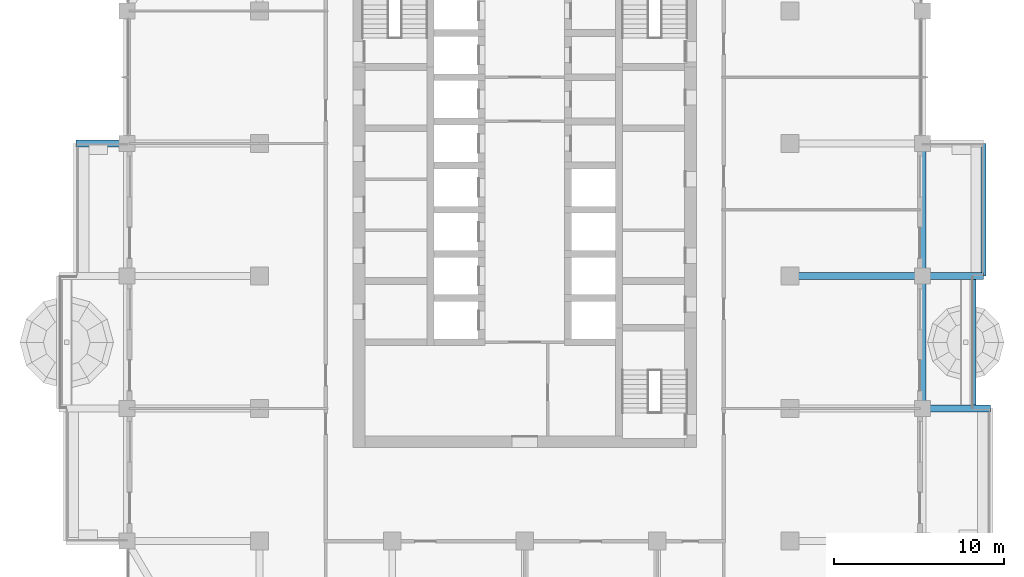
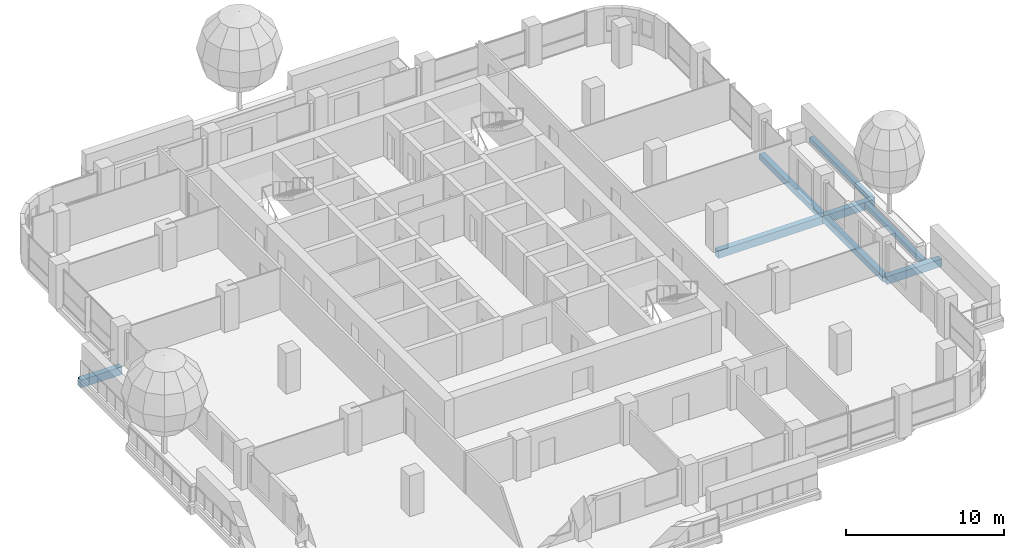
# One storey, part 5 of 21: 8 beams.
"""IFC4 building model written with IfcOpenShell, lengths in metres."""

from ifc_helpers import new_model, si_unit, direction, frame, origin, origin_2d, place, context, subcontext, project, spatial, rectangle, extrude, material, material_profile, profile_set, type_object, element, save


model = new_model("IFC4")

# Units and contexts
model_context = context("Model", 3, precision=1e-05, world=origin(), true_north=direction((0.0, 1.0)))
body_context = subcontext(model_context, "Body", "Model", "MODEL_VIEW")
ifc_project = project(units=[si_unit("LENGTHUNIT", "METRE"), si_unit("AREAUNIT", "SQUARE_METRE"), si_unit("VOLUMEUNIT", "CUBIC_METRE"), si_unit("PLANEANGLEUNIT", "RADIAN"), si_unit("MASSUNIT", "GRAM", prefix="KILO")], contexts=[model_context])

# Site, building, storey
site_placement = place(None, origin())
site = spatial("IfcSite", under=ifc_project, at=site_placement, CompositionType="ELEMENT")
building_placement = place(site_placement, origin())
building = spatial("IfcBuilding", under=site, at=building_placement, Name="Ludao Terraces", CompositionType="ELEMENT")
storey_placement = place(building_placement, frame((0.0, 0.0, 71.60009765625)))
storey = spatial("IfcBuildingStorey", under=building, at=storey_placement, Name="L19", CompositionType="ELEMENT", Elevation=71.60009765625)

# Beams
ifc_material = material(Name="Concrete C40", Category="concrete")
ifc_material_profile_1 = material_profile(ifc_material, rectangle(XDim=0.300048828125, YDim=0.39990234375, at=origin_2d()), Name="300 X 400")
ifc_profile_set_1 = profile_set([ifc_material_profile_1], Name="Concrete C40")
beam_type_1 = type_object("IfcBeamType", Name="RC beam 300x400 C40", PredefinedType="BEAM", material=ifc_profile_set_1)
for number, where, z_axis, x_axis, name in (
    (1, (111.39990234375, 57.199951171875, -0.4501953125), (0.0, 1.0, 0.0), (-1.0, 0.0, 0.0), "Balcony edge beam L19 E2"),
    (2, (112.0, 65.0, -0.4501953125), (0.0, 1.0, 0.0), (-1.0, 0.0, 0.0), "Balcony edge beam L19 E3"),
):
    element("IfcBeam", number, at=place(storey_placement, frame(where, z_axis=z_axis, x_axis=x_axis)), inside=storey, type_object=beam_type_1, Name=name, PredefinedType="BEAM", context=body_context, shape_type="SweptSolid", body=[
        extrude(rectangle(XDim=0.300048828125, YDim=0.39990234375, at=origin_2d()), origin(), (0.0, 0.0, 1.0), 7.800048828125),
    ])
ifc_material_profile_2 = material_profile(ifc_material, rectangle(XDim=0.39990234375, YDim=0.449951171875, at=origin_2d()), Name="400 X 450")
ifc_profile_set_2 = profile_set([ifc_material_profile_2], Name="Concrete C40")
beam_type_2 = type_object("IfcBeamType", Name="RC beam 400x450 C40", PredefinedType="BEAM", material=ifc_profile_set_2)
for number, where, z_axis, x_axis, name in (
    (3, (108.39990234375, 57.199951171875, -0.47509765625), (0.0, 1.0, 0.0), (-1.0, 0.0, 0.0), "Spandrel beam L19 E21"),
    (4, (108.39990234375, 65.0, -0.47509765625), (0.0, 1.0, 0.0), (-1.0, 0.0, 0.0), "Spandrel beam L19 E22"),
):
    element("IfcBeam", number, at=place(storey_placement, frame(where, z_axis=z_axis, x_axis=x_axis)), inside=storey, type_object=beam_type_2, Name=name, PredefinedType="BEAM", context=body_context, shape_type="SweptSolid", body=[
        extrude(rectangle(XDim=0.39990234375, YDim=0.449951171875, at=origin_2d()), origin(), (0.0, 0.0, 1.0), 7.800048828125),
    ])
ifc_material_profile_3 = material_profile(ifc_material, rectangle(XDim=0.39990234375, YDim=0.60009765625, at=origin_2d()), Name="400 X 600")
ifc_profile_set_3 = profile_set([ifc_material_profile_3], Name="Concrete C40")
beam_type_3 = type_object("IfcBeamType", Name="RC beam 400x600 C40", PredefinedType="BEAM", material=ifc_profile_set_3)
beam_1_placement = place(storey_placement, frame((108.39990234375, 57.199951171875, -0.550048828125), z_axis=(1.0, 0.0, 0.0), x_axis=(0.0, 1.0, 0.0)))
element("IfcBeam", 5, at=beam_1_placement, inside=storey, type_object=beam_type_3, Name="Balcony beam L19 E572", PredefinedType="BEAM", context=body_context, shape_type="SweptSolid", body=[
    extrude(rectangle(XDim=0.39990234375, YDim=0.60009765625, at=origin_2d()), origin(), (0.0, 0.0, 1.0), 4.0),
])
beam_2_placement = place(storey_placement, frame((100.60009765625, 65.0, -0.550048828125), z_axis=(1.0, 0.0, 0.0), x_axis=(0.0, 1.0, 0.0)))
element("IfcBeam", 6, at=beam_2_placement, inside=storey, type_object=beam_type_3, Name="Balcony beam L19 E650", PredefinedType="BEAM", context=body_context, shape_type="SweptSolid", body=[
    extrude(rectangle(XDim=0.39990234375, YDim=0.60009765625, at=origin_2d()), origin(), (0.0, 0.0, 1.0), 7.7998046875),
])
beam_3_placement = place(storey_placement, frame((108.39990234375, 65.0, -0.550048828125), z_axis=(1.0, 0.0, 0.0), x_axis=(0.0, 1.0, 0.0)))
element("IfcBeam", 7, at=beam_3_placement, inside=storey, type_object=beam_type_3, Name="Balcony beam L19 E650", PredefinedType="BEAM", context=body_context, shape_type="SweptSolid", body=[
    extrude(rectangle(XDim=0.39990234375, YDim=0.60009765625, at=origin_2d()), origin(), (0.0, 0.0, 1.0), 3.60009765625),
])
beam_4_placement = place(storey_placement, frame((61.60009765625, 72.800048828125, -0.550048828125), z_axis=(-1.0, 0.0, 0.0), x_axis=(0.0, -1.0, 0.0)))
element("IfcBeam", 8, at=beam_4_placement, inside=storey, type_object=beam_type_3, Name="Balcony beam L19 W728", PredefinedType="BEAM", context=body_context, shape_type="SweptSolid", body=[
    extrude(rectangle(XDim=0.39990234375, YDim=0.60009765625, at=origin_2d()), origin(), (0.0, 0.0, 1.0), 3.0),
])

save(model, "model.ifc")
